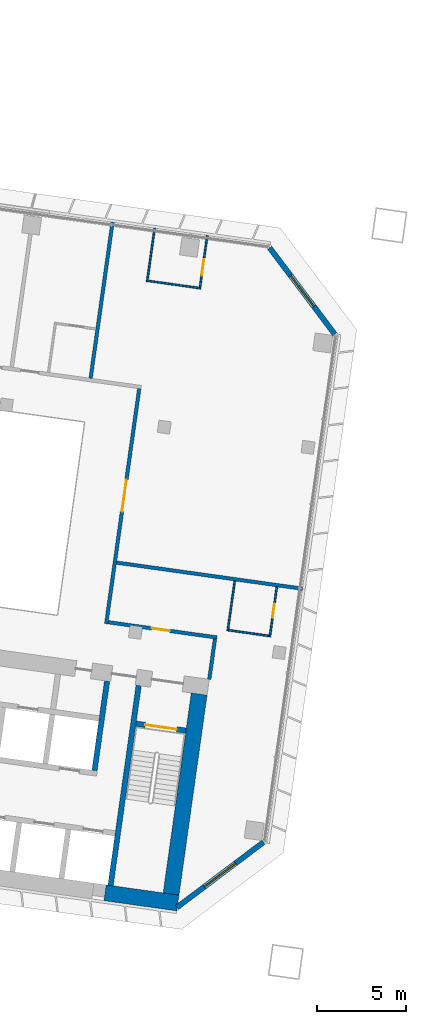
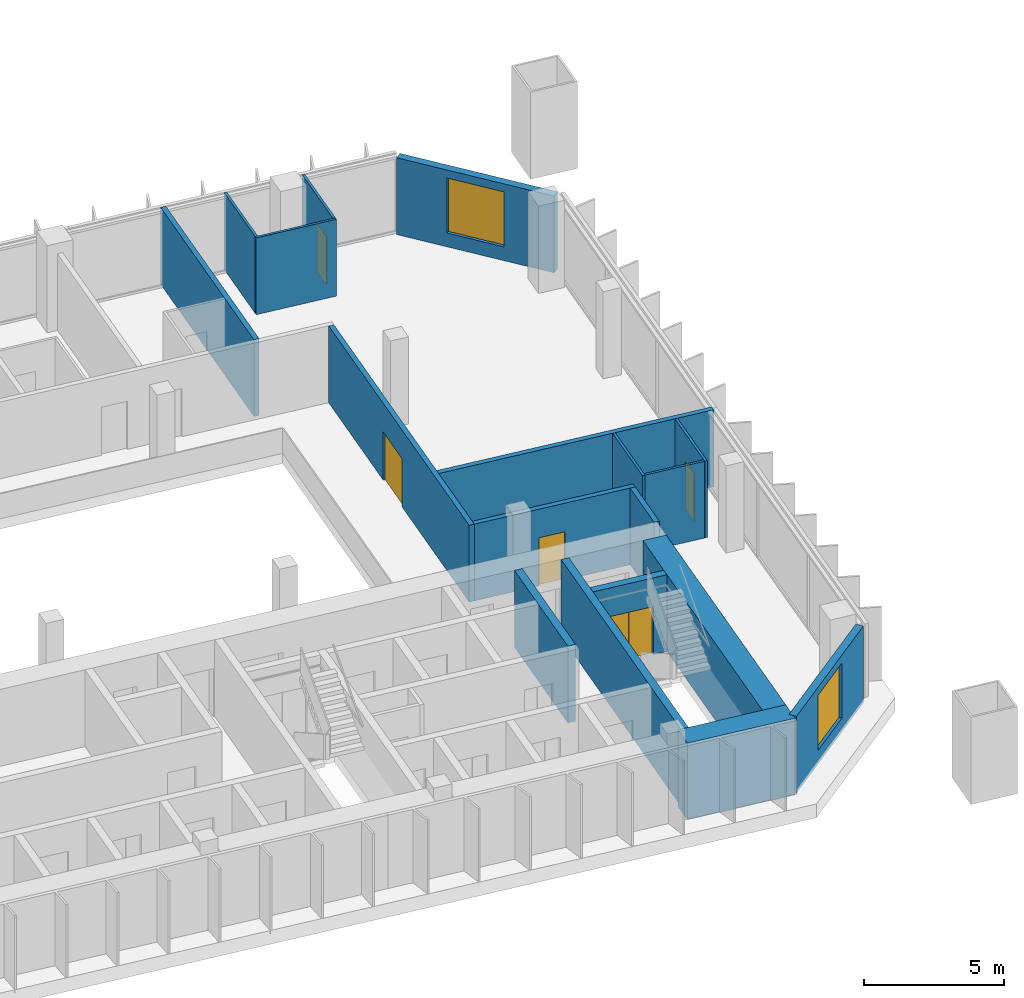
# One storey, part 17 of 24: 18 walls, 5 doors, 2 windows, 7 openings.
"""IFC4 building model written with IfcOpenShell, lengths in metres."""

from ifc_helpers import new_model, si_unit, direction, frame, frame_2d, origin, place, context, subcontext, project, spatial, rectangle, extrude, material, layer, layer_set, type_object, element, fill, save


model = new_model("IFC4")

# Units and contexts
model_context = context("Model", 3, precision=1e-05, world=origin(), true_north=direction((0.0, 1.0)))
body_context = subcontext(model_context, "Body", "Model", "MODEL_VIEW")
ifc_project = project(units=[si_unit("LENGTHUNIT", "METRE"), si_unit("AREAUNIT", "SQUARE_METRE"), si_unit("VOLUMEUNIT", "CUBIC_METRE"), si_unit("PLANEANGLEUNIT", "RADIAN"), si_unit("MASSUNIT", "GRAM", prefix="KILO")], contexts=[model_context])

# Site, building, storey
site_placement = place(None, origin())
site = spatial("IfcSite", under=ifc_project, at=site_placement, CompositionType="ELEMENT")
building_placement = place(site_placement, origin())
building = spatial("IfcBuilding", under=site, at=building_placement, Name="Mirante Cascada Hotel Towers", CompositionType="ELEMENT")
storey_placement = place(building_placement, frame((0.0, 0.0, 77.5)))
storey = spatial("IfcBuildingStorey", under=building, at=storey_placement, Name="L16", CompositionType="ELEMENT", Elevation=77.5)

# Wall, opening, door
ifc_material_1 = material(Name="Fire-rated plasterboard on metal studs")
ifc_layer_1 = layer(ifc_material_1, 0.2)
ifc_layer_set_1 = layer_set([ifc_layer_1], Name="Compartment wall 200 EI 120")
wall_type_1 = type_object("IfcWallType", Name="Compartment wall 200 EI 120", PredefinedType="PARTITIONING", material=ifc_layer_set_1)
wall_1_placement = place(storey_placement, frame((-34.8304, -4.7545, 0.0), z_axis=(0.0, 0.0, 1.0), x_axis=(-0.9902695, 0.1391629, 0.0)))
wall_1 = element("IfcWall", 1, at=wall_1_placement, inside=storey, type_object=wall_type_1, Name="Wall 1-L16-03", PredefinedType="PARTITIONING", context=body_context, shape_type="SweptSolid", body=[
    extrude(rectangle(XDim=6.1999, YDim=0.2, at=frame_2d((3.1, 0.0))), origin(), (0.0, 0.0, 1.0), 3.35),
])
opening_1_placement = place(wall_1_placement, frame((2.7, 0.0, 0.0)))
opening_1 = element("IfcOpeningElement", 2, at=opening_1_placement, cuts=wall_1, Name="Opening D1-L16-04", PredefinedType="OPENING", context=body_context, shape_type="SweptSolid", body=[
    extrude(rectangle(XDim=1.0, YDim=2.1, at=frame_2d((0.5, 1.05))), frame((0.0, 0.1, 0.0), z_axis=(0.0, -1.0, 0.0), x_axis=(1.0, 0.0, 0.0)), (0.0, 0.0, 1.0), 0.2),
])
ifc_material_2 = material(Name="Fire-rated timber door leaf", Category="wood")
door_type_1 = type_object("IfcDoorType", Name="Entrance door DG1 1000x2100 EI 60", OperationType="SINGLE_SWING_LEFT", PredefinedType="DOOR", material=ifc_material_2)
door_1_placement = place(opening_1_placement, origin())
door_1 = element("IfcDoor", 3, at=door_1_placement, inside=storey, type_object=door_type_1, Name="Door D1-L16-04", OperationType="SINGLE_SWING_LEFT", OverallHeight=2.1, OverallWidth=1.0, PredefinedType="DOOR", context=body_context, shape_type="SweptSolid", body=[
    extrude(rectangle(XDim=1.0, YDim=2.1, at=frame_2d((0.5, 1.05))), frame((0.0, 0.025, 0.0), z_axis=(0.0, -1.0, 0.0), x_axis=(1.0, 0.0, 0.0)), (0.0, 0.0, 1.0), 0.05),
])
fill(opening_1, door_1)

# Walls
wall_2_placement = place(storey_placement, frame((-30.0, -2.0, 0.0), z_axis=(0.0, 0.0, 1.0), x_axis=(-0.9902684, 0.1391704, 0.0)))
element("IfcWall", 4, at=wall_2_placement, inside=storey, type_object=wall_type_1, Name="Wall 1-L16-07", PredefinedType="PARTITIONING", context=body_context, shape_type="SweptSolid", body=[
    extrude(rectangle(XDim=10.6, YDim=0.2, at=frame_2d((5.3, 0.0))), origin(), (0.0, 0.0, 1.0), 3.35),
])
wall_3_placement = place(storey_placement, frame((-34.9433, -4.8397, 0.0), z_axis=(0.0, 0.0, 1.0), x_axis=(-0.1391749, -0.9902678, 0.0)))
element("IfcWall", 5, at=wall_3_placement, inside=storey, type_object=wall_type_1, Name="Wall 1-L16-22", PredefinedType="PARTITIONING", context=body_context, shape_type="SweptSolid", body=[
    extrude(rectangle(XDim=2.3, YDim=0.2, at=frame_2d((1.15, 0.0))), origin(), (0.0, 0.0, 1.0), 3.35),
])

# Wall, opening, door
wall_4_placement = place(storey_placement, frame((-39.2181, 9.2928, 0.0), z_axis=(0.0, 0.0, 1.0), x_axis=(-0.1391716, -0.9902683, 0.0)))
wall_4 = element("IfcWall", 6, at=wall_4_placement, inside=storey, type_object=wall_type_1, Name="Wall 1-L16-24", PredefinedType="PARTITIONING", context=body_context, shape_type="SweptSolid", body=[
    extrude(rectangle(XDim=13.4, YDim=0.2, at=frame_2d((6.7, 0.0))), origin(), (0.0, 0.0, 1.0), 3.35),
])
opening_2_placement = place(wall_4_placement, frame((5.2, 0.0, 0.0)))
opening_2 = element("IfcOpeningElement", 7, at=opening_2_placement, cuts=wall_4, Name="Opening D1-L16-24", PredefinedType="OPENING", context=body_context, shape_type="SweptSolid", body=[
    extrude(rectangle(XDim=1.8, YDim=2.1, at=frame_2d((0.9, 1.05))), frame((0.0, 0.1, 0.0), z_axis=(0.0, -1.0, 0.0), x_axis=(1.0, 0.0, 0.0)), (0.0, 0.0, 1.0), 0.2),
])
ifc_material_3 = material(Name="Fire-rated timber door leaf", Category="wood")
door_type_2 = type_object("IfcDoorType", Name="Suite double door DG2 1800x2100 EI 60", OperationType="DOUBLE_DOOR_SINGLE_SWING", PredefinedType="DOOR", material=ifc_material_3)
door_2_placement = place(opening_2_placement, origin())
door_2 = element("IfcDoor", 8, at=door_2_placement, inside=storey, type_object=door_type_2, Name="Door D1-L16-24", OperationType="DOUBLE_DOOR_SINGLE_SWING", OverallHeight=2.1, OverallWidth=1.8, PredefinedType="DOOR", context=body_context, shape_type="SweptSolid", body=[
    extrude(rectangle(XDim=0.895, YDim=2.1, at=frame_2d((0.4475, 1.05))), frame((0.0, 0.025, 0.0), z_axis=(0.0, -1.0, 0.0), x_axis=(1.0, 0.0, 0.0)), (0.0, 0.0, 1.0), 0.05),
    extrude(rectangle(XDim=0.895, YDim=2.1, at=frame_2d((1.3525, 1.05))), frame((0.0, 0.025, 0.0), z_axis=(0.0, -1.0, 0.0), x_axis=(1.0, 0.0, 0.0)), (0.0, 0.0, 1.0), 0.05),
])
fill(opening_2, door_2)

# Walls
wall_5_placement = place(storey_placement, frame((-40.7243, 18.6939, 0.0), z_axis=(0.0, 0.0, 1.0), x_axis=(-0.1391794, -0.9902672, 0.0)))
element("IfcWall", 9, at=wall_5_placement, inside=storey, type_object=wall_type_1, Name="Wall 1-L16-26", PredefinedType="PARTITIONING", context=body_context, shape_type="SweptSolid", body=[
    extrude(rectangle(XDim=8.9, YDim=0.2, at=frame_2d((4.45, 0.0))), origin(), (0.0, 0.0, 1.0), 3.35),
])
ifc_material_4 = material(Name="Plasterboard on metal studs")
ifc_layer_2 = layer(ifc_material_4, 0.1)
ifc_layer_set_2 = layer_set([ifc_layer_2], Name="Partition 100")
wall_type_2 = type_object("IfcWallType", Name="Partition 100", PredefinedType="PARTITIONING", material=ifc_layer_set_2)
wall_6_placement = place(storey_placement, frame((-34.1666, -4.3429, 0.0), z_axis=(0.0, 0.0, 1.0), x_axis=(0.9902678, -0.1391749, 0.0)))
element("IfcWall", 10, at=wall_6_placement, inside=storey, type_object=wall_type_2, Name="Wall 1-L16-04", PredefinedType="PARTITIONING", context=body_context, shape_type="SweptSolid", body=[
    extrude(rectangle(XDim=2.3, YDim=0.1, at=frame_2d((1.15, 0.0))), origin(), (0.0, 0.0, 1.0), 3.35),
])
wall_7_placement = place(storey_placement, frame((-35.7449, 14.9646, 0.0), z_axis=(0.0, 0.0, 1.0), x_axis=(-0.9902651, 0.1391945, 0.0)))
element("IfcWall", 11, at=wall_7_placement, inside=storey, type_object=wall_type_2, Name="Wall 1-L16-19", PredefinedType="PARTITIONING", context=body_context, shape_type="SweptSolid", body=[
    extrude(rectangle(XDim=3.1, YDim=0.1, at=frame_2d((1.55, 0.0))), origin(), (0.0, 0.0, 1.0), 3.35),
])

# Wall, opening, door
wall_8_placement = place(storey_placement, frame((-31.4498, -1.8972, 0.0), z_axis=(0.0, 0.0, 1.0), x_axis=(-0.1391564, -0.9902704, 0.0)))
wall_8 = element("IfcWall", 12, at=wall_8_placement, inside=storey, type_object=wall_type_2, Name="Wall 1-L16-20", PredefinedType="PARTITIONING", context=body_context, shape_type="SweptSolid", body=[
    extrude(rectangle(XDim=2.85, YDim=0.1, at=frame_2d((1.425, 0.0))), origin(), (0.0, 0.0, 1.0), 3.35),
])
opening_3_placement = place(wall_8_placement, frame((0.95, 0.0, 0.0)))
opening_3 = element("IfcOpeningElement", 13, at=opening_3_placement, cuts=wall_8, Name="Opening D1-L16-22", PredefinedType="OPENING", context=body_context, shape_type="SweptSolid", body=[
    extrude(rectangle(XDim=0.8, YDim=2.1, at=frame_2d((0.4, 1.05))), frame((0.0, 0.05, 0.0), z_axis=(0.0, -1.0, 0.0), x_axis=(1.0, 0.0, 0.0)), (0.0, 0.0, 1.0), 0.1),
])
ifc_material_5 = material(Name="Timber door leaf", Category="wood")
door_type_3 = type_object("IfcDoorType", Name="Bathroom door DG4 800x2100", OperationType="SINGLE_SWING_LEFT", PredefinedType="DOOR", material=ifc_material_5)
door_3_placement = place(opening_3_placement, frame((0.8, 0.0, 0.0), z_axis=(0.0, 0.0, 1.0), x_axis=(-1.0, 0.0, 0.0)))
door_3 = element("IfcDoor", 14, at=door_3_placement, inside=storey, type_object=door_type_3, Name="Door D1-L16-22", OperationType="SINGLE_SWING_RIGHT", OverallHeight=2.1, OverallWidth=0.8, PredefinedType="DOOR", context=body_context, shape_type="SweptSolid", body=[
    extrude(rectangle(XDim=0.8, YDim=2.1, at=frame_2d((0.4, 1.05))), frame((0.0, 0.025, 0.0), z_axis=(0.0, -1.0, 0.0), x_axis=(1.0, 0.0, 0.0)), (0.0, 0.0, 1.0), 0.05),
])
fill(opening_3, door_3)

# Wall
wall_9_placement = place(storey_placement, frame((-34.2231, -4.3855, 0.0), z_axis=(0.0, 0.0, 1.0), x_axis=(0.1391909, 0.9902656, 0.0)))
element("IfcWall", 15, at=wall_9_placement, inside=storey, type_object=wall_type_2, Name="Wall 1-L16-21", PredefinedType="PARTITIONING", context=body_context, shape_type="SweptSolid", body=[
    extrude(rectangle(XDim=2.85, YDim=0.1, at=frame_2d((1.425, 0.0))), origin(), (0.0, 0.0, 1.0), 3.35),
])

# Wall, opening, door
wall_10_placement = place(storey_placement, frame((-35.7874, 15.0211, 0.0), z_axis=(0.0, 0.0, 1.0), x_axis=(0.1391525, 0.990271, 0.0)))
wall_10 = element("IfcWall", 16, at=wall_10_placement, inside=storey, type_object=wall_type_2, Name="Wall 1-L16-23", PredefinedType="PARTITIONING", context=body_context, shape_type="SweptSolid", body=[
    extrude(rectangle(XDim=2.95, YDim=0.1, at=frame_2d((1.475, 0.0))), origin(), (0.0, 0.0, 1.0), 3.35),
])
opening_4_placement = place(wall_10_placement, frame((0.7, 0.0, 0.0)))
opening_4 = element("IfcOpeningElement", 17, at=opening_4_placement, cuts=wall_10, Name="Opening D1-L16-23", PredefinedType="OPENING", context=body_context, shape_type="SweptSolid", body=[
    extrude(rectangle(XDim=0.9, YDim=2.1, at=frame_2d((0.45, 1.05))), frame((0.0, 0.05, 0.0), z_axis=(0.0, -1.0, 0.0), x_axis=(1.0, 0.0, 0.0)), (0.0, 0.0, 1.0), 0.1),
])
ifc_material_6 = material(Name="Timber door leaf", Category="wood")
door_type_4 = type_object("IfcDoorType", Name="Room door DG3 900x2100", OperationType="SINGLE_SWING_LEFT", PredefinedType="DOOR", material=ifc_material_6)
door_4_placement = place(opening_4_placement, frame((0.9, 0.0, 0.0), z_axis=(0.0, 0.0, 1.0), x_axis=(-1.0, 0.0, 0.0)))
door_4 = element("IfcDoor", 18, at=door_4_placement, inside=storey, type_object=door_type_4, Name="Door D1-L16-23", OperationType="SINGLE_SWING_RIGHT", OverallHeight=2.1, OverallWidth=0.9, PredefinedType="DOOR", context=body_context, shape_type="SweptSolid", body=[
    extrude(rectangle(XDim=0.9, YDim=2.1, at=frame_2d((0.45, 1.05))), frame((0.0, 0.025, 0.0), z_axis=(0.0, -1.0, 0.0), x_axis=(1.0, 0.0, 0.0)), (0.0, 0.0, 1.0), 0.05),
])
fill(opening_4, door_4)

# Wall
wall_11_placement = place(storey_placement, frame((-38.7582, 15.4386, 0.0), z_axis=(0.0, 0.0, 1.0), x_axis=(0.1391525, 0.990271, 0.0)))
element("IfcWall", 19, at=wall_11_placement, inside=storey, type_object=wall_type_2, Name="Wall 1-L16-25", PredefinedType="PARTITIONING", context=body_context, shape_type="SweptSolid", body=[
    extrude(rectangle(XDim=2.95, YDim=0.1, at=frame_2d((1.475, 0.0))), origin(), (0.0, 0.0, 1.0), 3.35),
])

# Wall, opening, window
ifc_material_7 = material(Name="Precast concrete C40/50", Category="concrete")
ifc_layer_3 = layer(ifc_material_7, 0.3)
ifc_layer_set_3 = layer_set([ifc_layer_3], Name="Precast concrete C40/50 cladding wall 300")
wall_type_3 = type_object("IfcWallType", Name="Precast concrete C40/50 cladding wall 300", PredefinedType="STANDARD", material=ifc_layer_set_3)
wall_12_placement = place(storey_placement, frame((-31.857, 17.252, 0.0), z_axis=(0.0, 0.0, 1.0), x_axis=(0.6018141, -0.7986362, 0.0)))
wall_12 = element("IfcWall", 20, at=wall_12_placement, inside=storey, type_object=wall_type_3, Name="Corner cladding wall T1 L16 front inner", PredefinedType="STANDARD", context=body_context, shape_type="SweptSolid", body=[
    extrude(rectangle(XDim=6.1157, YDim=0.3, at=frame_2d((3.0578, 0.0))), origin(), (0.0, 0.0, 1.0), 3.35),
])
opening_5_placement = place(wall_12_placement, frame((1.9578, 0.0, 0.6)))
opening_5 = element("IfcOpeningElement", 21, at=opening_5_placement, cuts=wall_12, Name="Opening W1-16-04", PredefinedType="OPENING", context=body_context, shape_type="SweptSolid", body=[
    extrude(rectangle(XDim=2.2, YDim=2.4, at=frame_2d((1.1, 1.2))), frame((0.0, 0.15, 0.0), z_axis=(0.0, -1.0, 0.0), x_axis=(1.0, 0.0, 0.0)), (0.0, 0.0, 1.0), 0.3),
])
ifc_material_8 = material(Name="Aluminium frame with clear double glazing", Category="aluminium")
window_type = type_object("IfcWindowType", Name="Corner suite window 2200x2400", PartitioningType="DOUBLE_PANEL_VERTICAL", PredefinedType="WINDOW", material=ifc_material_8)
window_1_placement = place(opening_5_placement, origin())
window_1 = element("IfcWindow", 22, at=window_1_placement, inside=storey, type_object=window_type, Name="Window W1-16-04", OverallHeight=2.4, OverallWidth=2.2, PartitioningType="SINGLE_PANEL", PredefinedType="WINDOW", context=body_context, shape_type="SweptSolid", body=[
    extrude(rectangle(XDim=2.2, YDim=2.4, at=frame_2d((1.1, 1.2))), frame((0.0, 0.03, 0.0), z_axis=(0.0, -1.0, 0.0), x_axis=(1.0, 0.0, 0.0)), (0.0, 0.0, 1.0), 0.06),
])
fill(opening_5, window_1)

wall_13_placement = place(storey_placement, frame((-32.2074, -16.3138, 0.0), z_axis=(0.0, 0.0, 1.0), x_axis=(-0.7986362, -0.6018141, 0.0)))
wall_13 = element("IfcWall", 23, at=wall_13_placement, inside=storey, type_object=wall_type_3, Name="Corner cladding wall T1 L16 inner rear", PredefinedType="STANDARD", context=body_context, shape_type="SweptSolid", body=[
    extrude(rectangle(XDim=6.1157, YDim=0.3, at=frame_2d((3.0578, 0.0))), origin(), (0.0, 0.0, 1.0), 3.35),
])
opening_6_placement = place(wall_13_placement, frame((1.9578, 0.0, 0.6)))
opening_6 = element("IfcOpeningElement", 24, at=opening_6_placement, cuts=wall_13, Name="Opening W1-16-05", PredefinedType="OPENING", context=body_context, shape_type="SweptSolid", body=[
    extrude(rectangle(XDim=2.2, YDim=2.4, at=frame_2d((1.1, 1.2))), frame((0.0, 0.15, 0.0), z_axis=(0.0, -1.0, 0.0), x_axis=(1.0, 0.0, 0.0)), (0.0, 0.0, 1.0), 0.3),
])
window_2_placement = place(opening_6_placement, origin())
window_2 = element("IfcWindow", 25, at=window_2_placement, inside=storey, type_object=window_type, Name="Window W1-16-05", OverallHeight=2.4, OverallWidth=2.2, PartitioningType="SINGLE_PANEL", PredefinedType="WINDOW", context=body_context, shape_type="SweptSolid", body=[
    extrude(rectangle(XDim=2.2, YDim=2.4, at=frame_2d((1.1, 1.2))), frame((0.0, 0.03, 0.0), z_axis=(0.0, -1.0, 0.0), x_axis=(1.0, 0.0, 0.0)), (0.0, 0.0, 1.0), 0.06),
])
fill(opening_6, window_2)

# Wall
ifc_material_9 = material(Name="Concrete C50/60", Category="concrete")
ifc_layer_4 = layer(ifc_material_9, 0.3)
ifc_layer_set_4 = layer_set([ifc_layer_4], Name="RC core wall 300 C50/60")
wall_type_4 = type_object("IfcWallType", Name="RC core wall 300 C50/60", PredefinedType="SHEAR", material=ifc_layer_set_4)
wall_14_placement = place(storey_placement, frame((-40.8373, -18.7548, 0.0), z_axis=(0.0, 0.0, 1.0), x_axis=(0.1391749, 0.9902678, 0.0)))
element("IfcWall", 26, at=wall_14_placement, inside=storey, type_object=wall_type_4, Name="Core wall T1:L16:5", PredefinedType="SHEAR", context=body_context, shape_type="SweptSolid", body=[
    extrude(rectangle(XDim=11.4, YDim=0.3, at=frame_2d((5.7, 0.0))), origin(), (0.0, 0.0, 1.0), 3.35),
])

# Wall, opening, door
wall_15_placement = place(storey_placement, frame((-36.5791, -10.0123, 0.0), z_axis=(0.0, 0.0, 1.0), x_axis=(-0.9902704, 0.1391564, 0.0)))
wall_15 = element("IfcWall", 27, at=wall_15_placement, inside=storey, type_object=wall_type_4, Name="Core wall T1:L16:9", PredefinedType="SHEAR", context=body_context, shape_type="SweptSolid", body=[
    extrude(rectangle(XDim=2.85, YDim=0.3, at=frame_2d((1.425, 0.0))), origin(), (0.0, 0.0, 1.0), 3.35),
])
opening_7_placement = place(wall_15_placement, frame((0.525, 0.0, 0.0)))
opening_7 = element("IfcOpeningElement", 28, at=opening_7_placement, cuts=wall_15, Name="Opening D1-16-C13", PredefinedType="OPENING", context=body_context, shape_type="SweptSolid", body=[
    extrude(rectangle(XDim=1.8, YDim=2.1, at=frame_2d((0.9, 1.05))), frame((0.0, 0.15, 0.0), z_axis=(0.0, -1.0, 0.0), x_axis=(1.0, 0.0, 0.0)), (0.0, 0.0, 1.0), 0.3),
])
ifc_material_10 = material(Name="Hollow metal fire door leaf")
door_type_5 = type_object("IfcDoorType", Name="Double fire door 1800x2100 FD60", OperationType="DOUBLE_DOOR_SINGLE_SWING", PredefinedType="DOOR", material=ifc_material_10)
door_5_placement = place(opening_7_placement, origin())
door_5 = element("IfcDoor", 29, at=door_5_placement, inside=storey, type_object=door_type_5, Name="Stair door T1 L16 13", OperationType="DOUBLE_DOOR_SINGLE_SWING", OverallHeight=2.1, OverallWidth=1.8, PredefinedType="DOOR", context=body_context, shape_type="SweptSolid", body=[
    extrude(rectangle(XDim=0.895, YDim=2.1, at=frame_2d((0.4475, 1.05))), frame((0.0, 0.025, 0.0), z_axis=(0.0, -1.0, 0.0), x_axis=(1.0, 0.0, 0.0)), (0.0, 0.0, 1.0), 0.05),
    extrude(rectangle(XDim=0.895, YDim=2.1, at=frame_2d((1.3525, 1.05))), frame((0.0, 0.025, 0.0), z_axis=(0.0, -1.0, 0.0), x_axis=(1.0, 0.0, 0.0)), (0.0, 0.0, 1.0), 0.05),
])
fill(opening_7, door_5)

# Walls
wall_16_placement = place(storey_placement, frame((-41.743, -12.2656, 0.0), z_axis=(0.0, 0.0, 1.0), x_axis=(0.1391755, 0.9902677, 0.0)))
element("IfcWall", 30, at=wall_16_placement, inside=storey, type_object=wall_type_4, Name="Core wall T1:L16:20", PredefinedType="SHEAR", context=body_context, shape_type="SweptSolid", body=[
    extrude(rectangle(XDim=5.1, YDim=0.3, at=frame_2d((2.55, 0.0))), origin(), (0.0, 0.0, 1.0), 3.35),
])
ifc_material_11 = material(Name="Concrete C50/60", Category="concrete")
ifc_layer_5 = layer(ifc_material_11, 0.9)
ifc_layer_set_5 = layer_set([ifc_layer_5], Name="RC core wall 900 C50/60")
wall_type_5 = type_object("IfcWallType", Name="RC core wall 900 C50/60", PredefinedType="SHEAR", material=ifc_layer_set_5)
wall_17_placement = place(storey_placement, frame((-37.0379, -19.7432, 0.0), z_axis=(0.0, 0.0, 1.0), x_axis=(-0.990267, 0.139181, 0.0)))
element("IfcWall", 31, at=wall_17_placement, inside=storey, type_object=wall_type_5, Name="Core wall T1:L16:1.1", PredefinedType="SHEAR", context=body_context, shape_type="SweptSolid", body=[
    extrude(rectangle(XDim=4.15, YDim=0.9, at=frame_2d((2.075, 0.0))), origin(), (0.0, 0.0, 1.0), 3.35),
])
wall_18_placement = place(storey_placement, frame((-37.4209, -19.2349, 0.0), z_axis=(0.0, 0.0, 1.0), x_axis=(0.1391761, 0.9902677, 0.0)))
element("IfcWall", 32, at=wall_18_placement, inside=storey, type_object=wall_type_5, Name="Core wall T1:L16:3", PredefinedType="SHEAR", context=body_context, shape_type="SweptSolid", body=[
    extrude(rectangle(XDim=11.3999, YDim=0.9, at=frame_2d((5.7, 0.0))), origin(), (0.0, 0.0, 1.0), 3.35),
])

save(model, "model.ifc")
